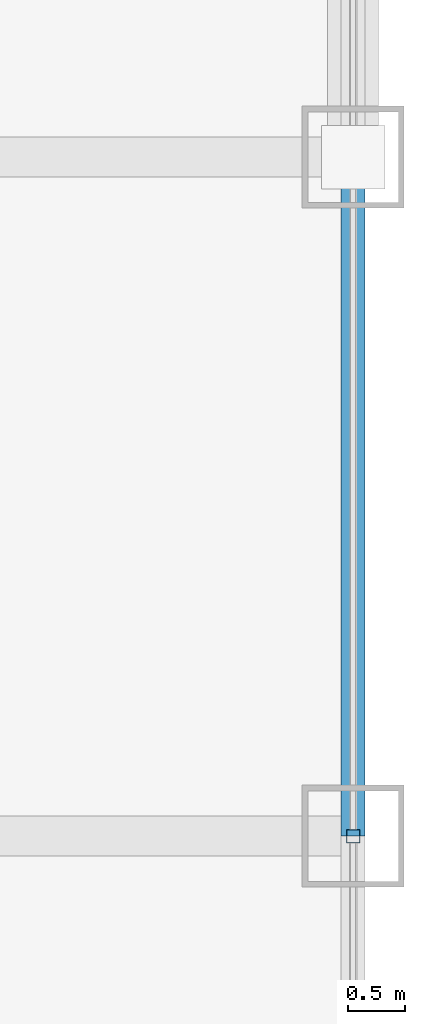
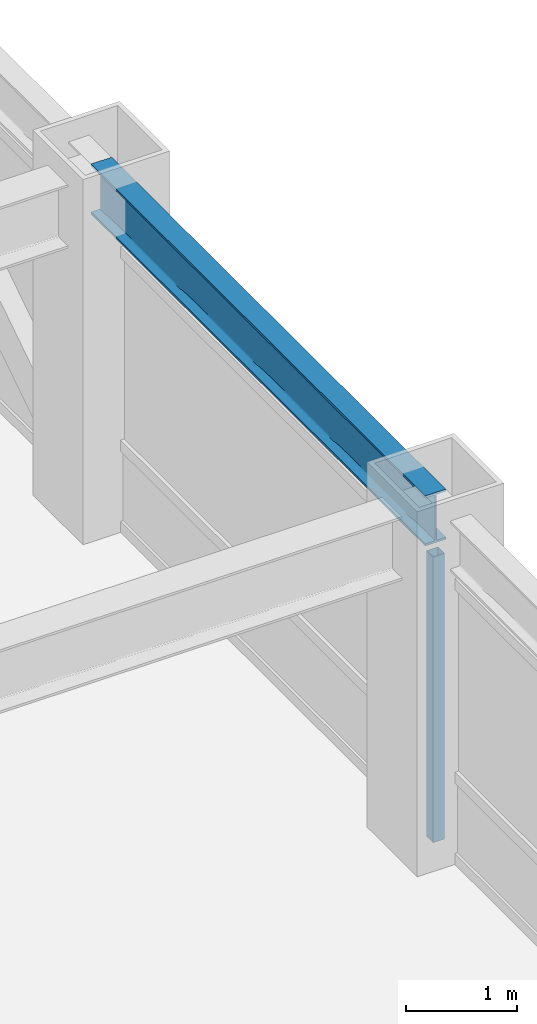
# One storey, part 10 of 22: 1 beam, 1 member, 1 element without a shape of its own.
"""IFC4 building model written with IfcOpenShell, lengths in metres."""

from ifc_helpers import new_model, si_unit, direction, frame, origin, origin_2d, place, context, subcontext, project, spatial, hollow_rectangle, i_section, extrude, source, transform, mapped, material, material_profile, profile_set, type_object, element, aggregate, save


model = new_model("IFC4")

# Units and contexts
model_context = context("Model", 3, precision=1e-05, world=origin(), true_north=direction((0.0, 1.0)))
body_context = subcontext(model_context, "Body", "Model", "MODEL_VIEW")
ifc_project = project(units=[si_unit("LENGTHUNIT", "METRE"), si_unit("AREAUNIT", "SQUARE_METRE"), si_unit("VOLUMEUNIT", "CUBIC_METRE"), si_unit("PLANEANGLEUNIT", "RADIAN"), si_unit("MASSUNIT", "GRAM", prefix="KILO")], contexts=[model_context])

# Site, building, storey
site_placement = place(None, origin())
site = spatial("IfcSite", under=ifc_project, at=site_placement, CompositionType="ELEMENT")
building_placement = place(site_placement, origin())
building = spatial("IfcBuilding", under=site, at=building_placement, Name="Khorayat Bourse Tower", CompositionType="ELEMENT")
storey_placement = place(building_placement, frame((0.0, 0.0, 293.5)))
storey = spatial("IfcBuildingStorey", under=building, at=storey_placement, Name="L69", CompositionType="ELEMENT", Elevation=293.5)

# Beam
ifc_material_1 = material(Name="Steel ASTM A992 Grade 50", Category="steel")
ifc_material_profile_1 = material_profile(ifc_material_1, i_section(OverallWidth=0.214111328125, OverallDepth=0.549072265625, WebThickness=0.0146484375, FlangeThickness=0.023681640625, FilletRadius=0.013916015625, at=origin_2d()), Name="W530X138")
ifc_profile_set_1 = profile_set([ifc_material_profile_1], Name="Steel ASTM A992 Grade 50")
beam_type = type_object("IfcBeamType", Name="BM-SPAN-530", PredefinedType="SPANDREL", material=ifc_profile_set_1)
shared_shape_1 = source(origin(), body_context, "Body", "SweptSolid", [
    extrude(i_section(OverallWidth=0.214111328125, OverallDepth=0.549072265625, WebThickness=0.0146484375, FlangeThickness=0.023681640625, FilletRadius=0.013916015625, at=origin_2d()), origin(), (0.0, 0.0, 1.0), 6.0),
])
beam_placement = place(storey_placement, frame((28.0, 0.0, 3.505615234375), z_axis=(0.0, 1.0, 0.0), x_axis=(-1.0, 0.0, 0.0)))
element("IfcBeam", 1, at=beam_placement, inside=storey, type_object=beam_type, Name="L69 BM-SPAN-530 BM-L69-SPN-038", PredefinedType="SPANDREL", context=body_context, shape_type="MappedRepresentation", body=[
    mapped(shared_shape_1, transform((0.0, 0.0, 0.0), scale=1.0)),
])

# Curtain wall, member
ifc_material_2 = material(Name="Aluminium EN AW-6063 T6", Category="aluminium")
curtain_wall_type = type_object("IfcCurtainWallType", Name="CW-SYS-04", PredefinedType="NOTDEFINED", material=ifc_material_2)
curtain_wall_placement = place(storey_placement, origin())
curtain_wall = element("IfcCurtainWall", 2, at=curtain_wall_placement, inside=storey, type_object=curtain_wall_type, Name="L69 Curtain Wall CW-L69-E1", PredefinedType="NOTDEFINED")
ifc_material_profile_2 = material_profile(ifc_material_2, hollow_rectangle(XDim=0.1201171875, YDim=0.1201171875, WallThickness=0.0048828125, at=origin_2d()), Name="ALU 120x120x5")
ifc_profile_set_2 = profile_set([ifc_material_profile_2], Name="Aluminium EN AW-6063 T6")
member_type = type_object("IfcMemberType", Name="CWM-VERT-120", PredefinedType="MULLION", material=ifc_profile_set_2)
shared_shape_2 = source(origin(), body_context, "Body", "SweptSolid", [
    extrude(hollow_rectangle(XDim=0.1201171875, YDim=0.1201171875, WallThickness=0.0048828125, at=origin_2d()), origin(), (0.0, 0.0, 1.0), 3.1298828125),
])
member_placement = place(storey_placement, frame((28.0, 0.0, 0.0), z_axis=(0.0, 0.0, 1.0), x_axis=(-1.0, 0.0, 0.0)))
member = element("IfcMember", 3, at=member_placement, type_object=member_type, Name="CW-L69-E1 Vertical Mullion 2", PredefinedType="MULLION", context=body_context, shape_type="MappedRepresentation", body=[
    mapped(shared_shape_2, transform((0.0, 0.0, 0.0), scale=1.0)),
])
aggregate(curtain_wall, [member])

save(model, "model.ifc")
